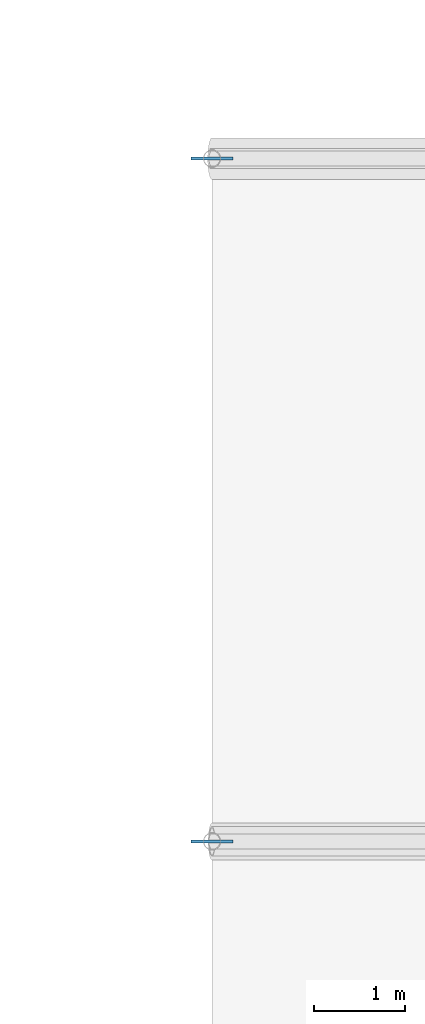
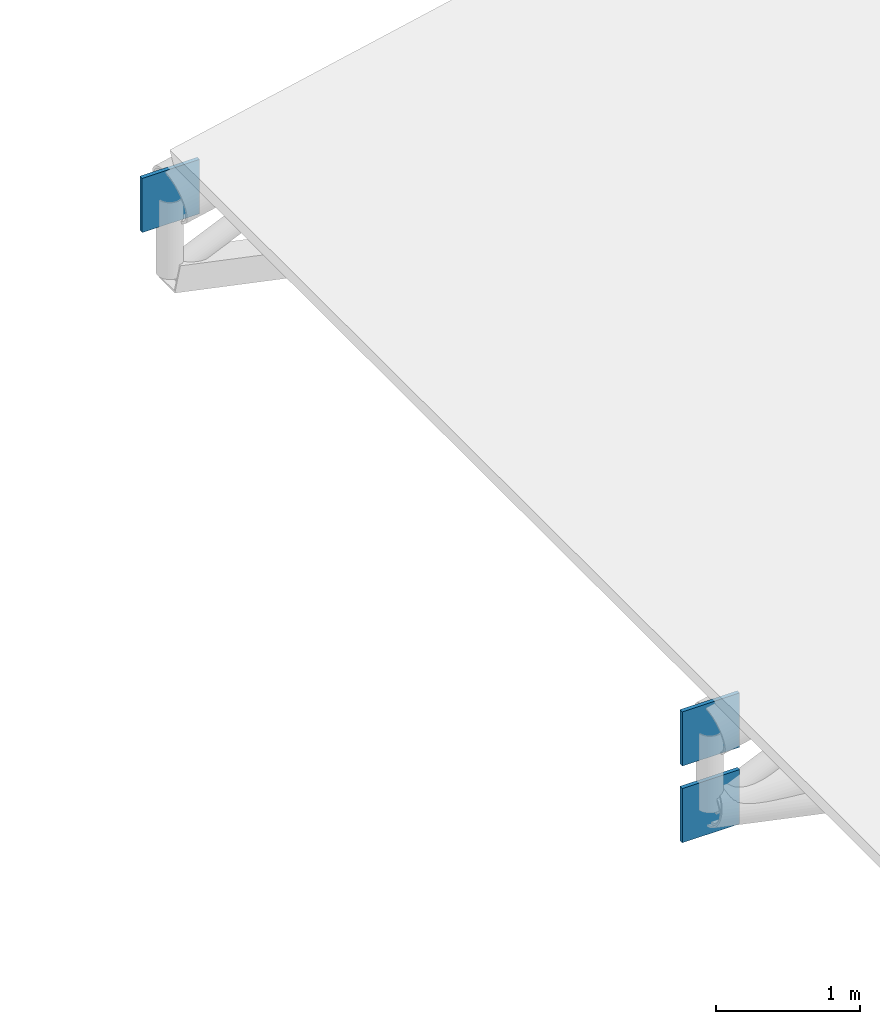
# One storey, part 26 of 28: 3 plates.
"""IFC4 building model written with IfcOpenShell, lengths in metres."""

from ifc_helpers import new_model, si_unit, direction, frame, origin, origin_2d, place, context, subcontext, project, spatial, rectangle, extrude, material, layer, layer_set, type_object, element, save


model = new_model("IFC4")

# Units and contexts
model_context = context("Model", 3, precision=1e-05, world=origin(), true_north=direction((0.0, 1.0)))
body_context = subcontext(model_context, "Body", "Model", "MODEL_VIEW")
ifc_project = project(units=[si_unit("LENGTHUNIT", "METRE"), si_unit("AREAUNIT", "SQUARE_METRE"), si_unit("VOLUMEUNIT", "CUBIC_METRE"), si_unit("PLANEANGLEUNIT", "RADIAN"), si_unit("MASSUNIT", "GRAM", prefix="KILO"), si_unit("THERMODYNAMICTEMPERATUREUNIT", "KELVIN"), si_unit("POWERUNIT", "WATT")], contexts=[model_context])

# Site, building, storey
site_placement = place(None, origin())
site = spatial("IfcSite", under=ifc_project, at=site_placement, CompositionType="ELEMENT")
building_placement = place(site_placement, origin())
building = spatial("IfcBuilding", under=site, at=building_placement, Name="Tepalcoro Natatorium and Aquatics Centre", CompositionType="ELEMENT")
storey_placement = place(building_placement, frame((0.0, 0.0, 23.199951171875)))
storey = spatial("IfcBuildingStorey", under=building, at=storey_placement, Name="RF", CompositionType="ELEMENT", Elevation=23.199951171875)

# Plates
ifc_material = material(Name="Plate Steel ASTM A572 Grade 50 (Fy 345 MPa)", Category="steel")
ifc_layer = layer(ifc_material, 0.031982421875)
ifc_layer_set = layer_set([ifc_layer], Name="Plate Steel ASTM A572 Grade 50 (Fy 345 MPa)")
plate_type = type_object("IfcPlateType", Name="PL_CAP_32", PredefinedType="USERDEFINED", material=ifc_layer_set)
for number, where, z_axis, x_axis, name in (
    (1, (142.0, 51.5, -4.5458984375), (0.0, 0.0, 1.0), (1.0, 0.0, 0.0), "Truss Node Cap Plate V2AT_6"),
    (2, (142.0, 51.5, -3.89599609375), (0.0, 0.0, 1.0), (1.0, 0.0, 0.0), "Truss Node Cap Plate V2T_6"),
    (3, (142.0, 59.0, -3.92138671875), (0.0, 0.0, 1.0), (1.0, 0.0, 0.0), "Truss Node Cap Plate V2T_7"),
):
    element("IfcPlate", number, at=place(storey_placement, frame(where, z_axis=z_axis, x_axis=x_axis)), inside=storey, type_object=plate_type, Name=name, ObjectType="CAP PLATE", PredefinedType="USERDEFINED", context=body_context, shape_type="SweptSolid", body=[
        extrude(rectangle(XDim=0.4599609375, YDim=0.031982421875, at=origin_2d()), origin(), (0.0, 0.0, 1.0), 0.4599609375),
    ])

save(model, "model.ifc")
